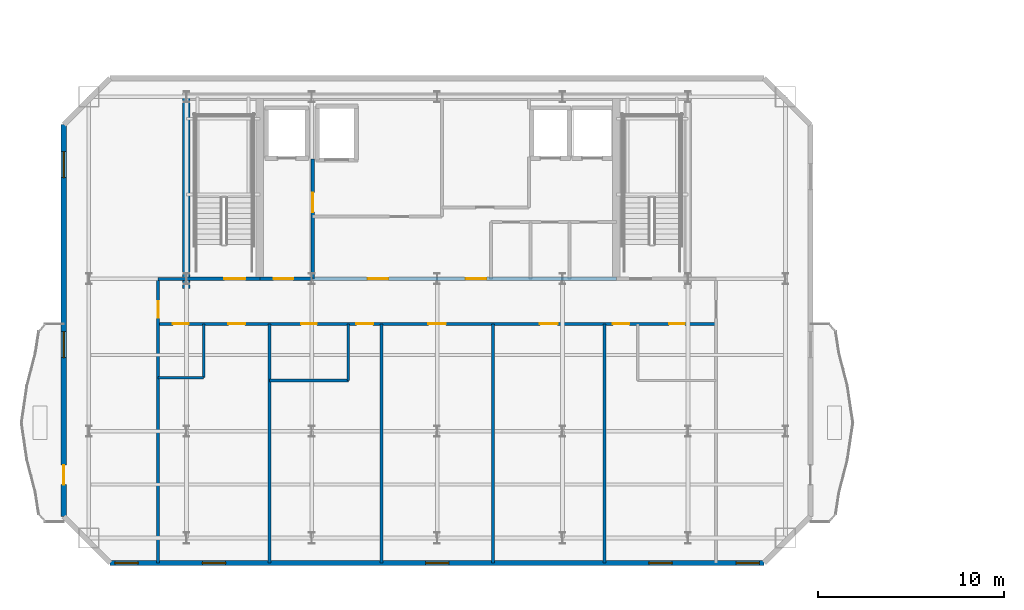
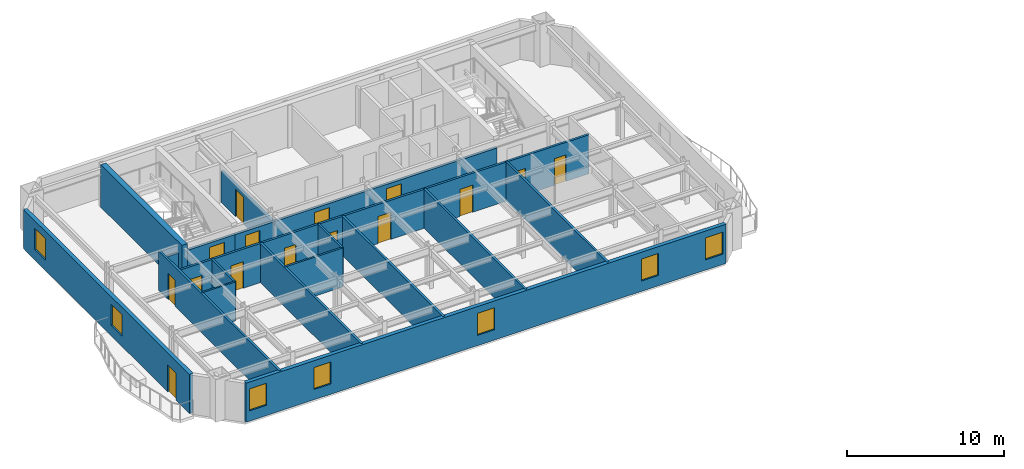
# One storey, part 5 of 13: 18 walls, 15 doors, 7 windows, 22 openings.
"""IFC4 building model written with IfcOpenShell, lengths in metres."""

from ifc_helpers import new_model, si_unit, direction, frame, frame_2d, origin, place, context, subcontext, project, spatial, rectangle, extrude, material, layer, layer_set, type_object, element, fill, save


model = new_model("IFC4")

# Units and contexts
model_context = context("Model", 3, precision=1e-05, world=origin(), true_north=direction((0.0, 1.0)))
body_context = subcontext(model_context, "Body", "Model", "MODEL_VIEW")
ifc_project = project(units=[si_unit("LENGTHUNIT", "METRE"), si_unit("AREAUNIT", "SQUARE_METRE"), si_unit("VOLUMEUNIT", "CUBIC_METRE"), si_unit("PLANEANGLEUNIT", "RADIAN"), si_unit("MASSUNIT", "GRAM", prefix="KILO")], contexts=[model_context])

# Site, building, storey
site_placement = place(None, origin())
site = spatial("IfcSite", under=ifc_project, at=site_placement, CompositionType="ELEMENT")
building_placement = place(site_placement, origin())
building = spatial("IfcBuilding", under=site, at=building_placement, Name="Haevon Station Towers", CompositionType="ELEMENT")
storey_placement = place(building_placement, frame((0.0, 0.0, 225.300048828125)))
storey = spatial("IfcBuildingStorey", under=building, at=storey_placement, Name="L62", CompositionType="ELEMENT", Elevation=225.300048828125)

# Wall, opening, door
ifc_material_1 = material(Name="Gypsum board on steel stud", Category="steel")
ifc_layer_1 = layer(ifc_material_1, 0.199951171875)
ifc_layer_set_1 = layer_set([ifc_layer_1], Name="Gypsum board on steel stud")
wall_type_1 = type_object("IfcWallType", Name="WL-COR200", PredefinedType="PARTITIONING", material=ifc_layer_set_1)
wall_1_placement = place(storey_placement, frame((24.0, 38.199951171875, 0.0), z_axis=(0.0, 0.0, 1.0), x_axis=(1.0, 0.0, 0.0)))
wall_1 = element("IfcWall", 1, at=wall_1_placement, inside=storey, type_object=wall_type_1, Name="WL-ST-ST1-L62", PredefinedType="PARTITIONING", context=body_context, shape_type="SweptSolid", body=[
    extrude(rectangle(XDim=3.949951171875, YDim=0.199951171875, at=frame_2d((1.97509765625, 0.0))), origin(), (0.0, 0.0, 1.0), 2.429931640625),
])
opening_1_placement = place(wall_1_placement, frame((2.050048828125, 0.0, 0.0)))
opening_1 = element("IfcOpeningElement", 2, at=opening_1_placement, cuts=wall_1, Name="Opening DR-ST-ST1-L62", PredefinedType="OPENING", context=body_context, shape_type="SweptSolid", body=[
    extrude(rectangle(XDim=1.1201171875, YDim=2.10009765625, at=frame_2d((0.56005859375, 1.050048828125))), frame((0.0, 0.10986328125, 0.0), z_axis=(0.0, -1.0, 0.0), x_axis=(1.0, 0.0, 0.0)), (0.0, 0.0, 1.0), 0.219970703125),
])
ifc_material_2 = material(Name="Engineered oak timber", Category="wood")
door_type_1 = type_object("IfcDoorType", Name="DR-ST-1120", OperationType="NOTDEFINED", PredefinedType="DOOR", material=ifc_material_2)
door_1_placement = place(opening_1_placement, origin())
door_1 = element("IfcDoor", 3, at=door_1_placement, inside=storey, type_object=door_type_1, Name="L62 Escape Stair ST1 Fire Door", OperationType="SINGLE_SWING_LEFT", OverallHeight=2.10009765625, OverallWidth=1.1201171875, PredefinedType="DOOR", context=body_context, shape_type="SweptSolid", body=[
    extrude(rectangle(XDim=1.1201171875, YDim=2.10009765625, at=frame_2d((0.56005859375, 1.050048828125))), frame((0.0, 0.02490234375, 0.0), z_axis=(0.0, -1.0, 0.0), x_axis=(1.0, 0.0, 0.0)), (0.0, 0.0, 1.0), 0.050048828125),
])
fill(opening_1, door_1)

wall_2_placement = place(storey_placement, frame((30.800048828125, 38.199951171875, 0.0), z_axis=(0.0, 0.0, 1.0), x_axis=(0.0, 1.0, 0.0)))
wall_2 = element("IfcWall", 4, at=wall_2_placement, inside=storey, type_object=wall_type_1, Name="WL-T1FFL-L62-E", PredefinedType="PARTITIONING", context=body_context, shape_type="SweptSolid", body=[
    extrude(rectangle(XDim=6.449951171875, YDim=0.199951171875, at=frame_2d((3.22509765625, 0.0))), origin(), (0.0, 0.0, 1.0), 2.429931640625),
])
opening_2_placement = place(wall_2_placement, frame((3.590087890625, 0.0, 0.0)))
opening_2 = element("IfcOpeningElement", 5, at=opening_2_placement, cuts=wall_2, Name="Opening DR-T1FFL-L62-E", PredefinedType="OPENING", context=body_context, shape_type="SweptSolid", body=[
    extrude(rectangle(XDim=1.050048828125, YDim=2.10009765625, at=frame_2d((0.52490234375, 1.050048828125))), frame((0.0, 0.10986328125, 0.0), z_axis=(0.0, -1.0, 0.0), x_axis=(1.0, 0.0, 0.0)), (0.0, 0.0, 1.0), 0.219970703125),
])
door_type_2 = type_object("IfcDoorType", Name="DR-FD60-1050", OperationType="NOTDEFINED", PredefinedType="DOOR", material=ifc_material_2)
door_2_placement = place(opening_2_placement, origin())
door_2 = element("IfcDoor", 6, at=door_2_placement, inside=storey, type_object=door_type_2, Name="L62 Tower 1 Firefighting Lift Lobby Door E", OperationType="SINGLE_SWING_LEFT", OverallHeight=2.10009765625, OverallWidth=1.050048828125, PredefinedType="DOOR", context=body_context, shape_type="SweptSolid", body=[
    extrude(rectangle(XDim=1.050048828125, YDim=2.10009765625, at=frame_2d((0.52490234375, 1.050048828125))), frame((0.0, 0.02490234375, 0.0), z_axis=(0.0, -1.0, 0.0), x_axis=(1.0, 0.0, 0.0)), (0.0, 0.0, 1.0), 0.050048828125),
])
fill(opening_2, door_2)

wall_3_placement = place(storey_placement, frame((27.949951171875, 38.199951171875, 0.0), z_axis=(0.0, 0.0, 1.0), x_axis=(1.0, 0.0, 0.0)))
wall_3 = element("IfcWall", 7, at=wall_3_placement, inside=storey, type_object=wall_type_1, Name="WL-T1FFL-L62-S", PredefinedType="PARTITIONING", context=body_context, shape_type="SweptSolid", body=[
    extrude(rectangle(XDim=2.85009765625, YDim=0.199951171875, at=frame_2d((1.425048828125, 0.0))), origin(), (0.0, 0.0, 1.0), 2.429931640625),
])
opening_3_placement = place(wall_3_placement, frame((0.75, 0.0, 0.0)))
opening_3 = element("IfcOpeningElement", 8, at=opening_3_placement, cuts=wall_3, Name="Opening DR-T1FFL-L62-S", PredefinedType="OPENING", context=body_context, shape_type="SweptSolid", body=[
    extrude(rectangle(XDim=1.050048828125, YDim=2.10009765625, at=frame_2d((0.52490234375, 1.050048828125))), frame((0.0, 0.10986328125, 0.0), z_axis=(0.0, -1.0, 0.0), x_axis=(1.0, 0.0, 0.0)), (0.0, 0.0, 1.0), 0.219970703125),
])
door_3_placement = place(opening_3_placement, origin())
door_3 = element("IfcDoor", 9, at=door_3_placement, inside=storey, type_object=door_type_2, Name="L62 Tower 1 Firefighting Lift Lobby Door S", OperationType="SINGLE_SWING_RIGHT", OverallHeight=2.10009765625, OverallWidth=1.050048828125, PredefinedType="DOOR", context=body_context, shape_type="SweptSolid", body=[
    extrude(rectangle(XDim=1.050048828125, YDim=2.10009765625, at=frame_2d((0.52490234375, 1.050048828125))), frame((0.0, 0.02490234375, 0.0), z_axis=(0.0, -1.0, 0.0), x_axis=(1.0, 0.0, 0.0)), (0.0, 0.0, 1.0), 0.050048828125),
])
fill(opening_3, door_3)

# Wall, openings, doors
wall_4_placement = place(storey_placement, frame((30.800048828125, 38.199951171875, 0.0), z_axis=(0.0, 0.0, 1.0), x_axis=(1.0, 0.0, 0.0)))
wall_4 = element("IfcWall", 10, at=wall_4_placement, inside=storey, type_object=wall_type_1, Name="WL-T1CLB-L62", PredefinedType="PARTITIONING", context=body_context, shape_type="SweptSolid", body=[
    extrude(rectangle(XDim=16.349853515625, YDim=0.199951171875, at=frame_2d((8.1748046875, 0.0))), origin(), (0.0, 0.0, 1.0), 2.429931640625),
])
opening_4_placement = place(wall_4_placement, frame((2.949951171875, 0.0, 0.0)))
opening_4 = element("IfcOpeningElement", 11, at=opening_4_placement, cuts=wall_4, Name="Opening DR-T1CLB-L62-1", PredefinedType="OPENING", context=body_context, shape_type="SweptSolid", body=[
    extrude(rectangle(XDim=1.1201171875, YDim=2.10009765625, at=frame_2d((0.56005859375, 1.050048828125))), frame((0.0, 0.10986328125, 0.0), z_axis=(0.0, -1.0, 0.0), x_axis=(1.0, 0.0, 0.0)), (0.0, 0.0, 1.0), 0.219970703125),
])
opening_5_placement = place(wall_4_placement, frame((8.22998046875, 0.0, 0.0)))
opening_5 = element("IfcOpeningElement", 12, at=opening_5_placement, cuts=wall_4, Name="Opening DR-T1CLB-L62-2", PredefinedType="OPENING", context=body_context, shape_type="SweptSolid", body=[
    extrude(rectangle(XDim=1.1201171875, YDim=2.10009765625, at=frame_2d((0.56005859375, 1.050048828125))), frame((0.0, 0.10986328125, 0.0), z_axis=(0.0, -1.0, 0.0), x_axis=(1.0, 0.0, 0.0)), (0.0, 0.0, 1.0), 0.219970703125),
])
door_4_placement = place(opening_4_placement, origin())
door_4 = element("IfcDoor", 13, at=door_4_placement, inside=storey, type_object=door_type_1, Name="L62 Tower 1 Core Lift Lobby Door 1", OperationType="SINGLE_SWING_LEFT", OverallHeight=2.10009765625, OverallWidth=1.1201171875, PredefinedType="DOOR", context=body_context, shape_type="SweptSolid", body=[
    extrude(rectangle(XDim=1.1201171875, YDim=2.10009765625, at=frame_2d((0.56005859375, 1.050048828125))), frame((0.0, 0.02490234375, 0.0), z_axis=(0.0, -1.0, 0.0), x_axis=(1.0, 0.0, 0.0)), (0.0, 0.0, 1.0), 0.050048828125),
])
fill(opening_4, door_4)
door_5_placement = place(opening_5_placement, origin())
door_5 = element("IfcDoor", 14, at=door_5_placement, inside=storey, type_object=door_type_1, Name="L62 Tower 1 Core Lift Lobby Door 2", OperationType="SINGLE_SWING_RIGHT", OverallHeight=2.10009765625, OverallWidth=1.1201171875, PredefinedType="DOOR", context=body_context, shape_type="SweptSolid", body=[
    extrude(rectangle(XDim=1.1201171875, YDim=2.10009765625, at=frame_2d((0.56005859375, 1.050048828125))), frame((0.0, 0.02490234375, 0.0), z_axis=(0.0, -1.0, 0.0), x_axis=(1.0, 0.0, 0.0)), (0.0, 0.0, 1.0), 0.050048828125),
])
fill(opening_5, door_5)

# Wall
ifc_material_3 = material(Name="Concrete C60/75", Category="concrete")
ifc_layer_2 = layer(ifc_material_3, 0.39990234375)
ifc_layer_set_2 = layer_set([ifc_layer_2], Name="Concrete C60/75")
wall_type_2 = type_object("IfcWallType", Name="WL-CR400", PredefinedType="SHEAR", material=ifc_layer_set_2)
wall_5_placement = place(storey_placement, frame((24.0, 37.679931640625, 0.0), z_axis=(0.0, 0.0, 1.0), x_axis=(0.0, 1.0, 0.0)))
element("IfcWall", 15, at=wall_5_placement, inside=storey, type_object=wall_type_2, Name="WL-T1CR-L62-W", PredefinedType="SHEAR", context=body_context, shape_type="SweptSolid", body=[
    extrude(rectangle(XDim=10.320068359375, YDim=0.39990234375, at=frame_2d((5.16015625, 0.0))), origin(), (0.0, 0.0, 1.0), 3.300048828125),
])

# Wall, openings, windows
ifc_material_4 = material(Name="Precast concrete C45/55", Category="concrete")
ifc_layer_3 = layer(ifc_material_4, 0.280029296875)
ifc_layer_set_3 = layer_set([ifc_layer_3], Name="Precast concrete C45/55")
wall_type_3 = type_object("IfcWallType", Name="WL-EXT-PIER280", PredefinedType="SOLIDWALL", material=ifc_layer_set_3)
wall_6_placement = place(storey_placement, frame((55.10009765625, 22.89990234375, 0.0), z_axis=(0.0, 0.0, 1.0), x_axis=(-1.0, 0.0, 0.0)))
wall_6 = element("IfcWall", 16, at=wall_6_placement, inside=storey, type_object=wall_type_3, Name="WL-T1-L62-S", PredefinedType="SOLIDWALL", context=body_context, shape_type="SweptSolid", body=[
    extrude(rectangle(XDim=35.2001953125, YDim=0.280029296875, at=frame_2d((17.60009765625, 0.0))), origin(), (0.0, 0.0, 1.0), 3.030029296875),
])
opening_6_placement = place(wall_6_placement, frame((33.699951171875, 0.0, 0.800048828125)))
opening_6 = element("IfcOpeningElement", 17, at=opening_6_placement, cuts=wall_6, Name="Opening WN-P125", PredefinedType="OPENING", context=body_context, shape_type="SweptSolid", body=[
    extrude(rectangle(XDim=1.25, YDim=1.699951171875, at=frame_2d((0.625, 0.85009765625))), frame((0.0, 0.14990234375, 0.0), z_axis=(0.0, -1.0, 0.0), x_axis=(1.0, 0.0, 0.0)), (0.0, 0.0, 1.0), 0.300048828125),
])
opening_7_placement = place(wall_6_placement, frame((0.25, 0.0, 0.800048828125)))
opening_7 = element("IfcOpeningElement", 18, at=opening_7_placement, cuts=wall_6, Name="Opening WN-P125", PredefinedType="OPENING", context=body_context, shape_type="SweptSolid", body=[
    extrude(rectangle(XDim=1.25, YDim=1.699951171875, at=frame_2d((0.625, 0.85009765625))), frame((0.0, 0.14990234375, 0.0), z_axis=(0.0, -1.0, 0.0), x_axis=(1.0, 0.0, 0.0)), (0.0, 0.0, 1.0), 0.300048828125),
])
opening_8_placement = place(wall_6_placement, frame((28.9951171875, 0.0, 0.800048828125)))
opening_8 = element("IfcOpeningElement", 19, at=opening_8_placement, cuts=wall_6, Name="Opening WN-P125", PredefinedType="OPENING", context=body_context, shape_type="SweptSolid", body=[
    extrude(rectangle(XDim=1.25, YDim=1.699951171875, at=frame_2d((0.625, 0.85009765625))), frame((0.0, 0.14990234375, 0.0), z_axis=(0.0, -1.0, 0.0), x_axis=(1.0, 0.0, 0.0)), (0.0, 0.0, 1.0), 0.300048828125),
])
opening_9_placement = place(wall_6_placement, frame((16.97509765625, 0.0, 0.800048828125)))
opening_9 = element("IfcOpeningElement", 20, at=opening_9_placement, cuts=wall_6, Name="Opening WN-P125", PredefinedType="OPENING", context=body_context, shape_type="SweptSolid", body=[
    extrude(rectangle(XDim=1.25, YDim=1.699951171875, at=frame_2d((0.625, 0.85009765625))), frame((0.0, 0.14990234375, 0.0), z_axis=(0.0, -1.0, 0.0), x_axis=(1.0, 0.0, 0.0)), (0.0, 0.0, 1.0), 0.300048828125),
])
opening_10_placement = place(wall_6_placement, frame((4.955078125, 0.0, 0.800048828125)))
opening_10 = element("IfcOpeningElement", 21, at=opening_10_placement, cuts=wall_6, Name="Opening WN-P125", PredefinedType="OPENING", context=body_context, shape_type="SweptSolid", body=[
    extrude(rectangle(XDim=1.25, YDim=1.699951171875, at=frame_2d((0.625, 0.85009765625))), frame((0.0, 0.14990234375, 0.0), z_axis=(0.0, -1.0, 0.0), x_axis=(1.0, 0.0, 0.0)), (0.0, 0.0, 1.0), 0.300048828125),
])
ifc_material_5 = material(Name="Low-E triple glazing in thermally broken aluminium", Category="aluminium")
window_type_1 = type_object("IfcWindowType", Name="WN-P125", PartitioningType="SINGLE_PANEL", PredefinedType="WINDOW", material=ifc_material_5)
window_1_placement = place(opening_6_placement, origin())
window_1 = element("IfcWindow", 22, at=window_1_placement, inside=storey, type_object=window_type_1, Name="WN-T1-L62-S01", OverallHeight=1.699951171875, OverallWidth=1.25, PartitioningType="SINGLE_PANEL", PredefinedType="WINDOW", context=body_context, shape_type="SweptSolid", body=[
    extrude(rectangle(XDim=1.25, YDim=1.699951171875, at=frame_2d((0.625, 0.85009765625))), frame((0.0, 0.030029296875, 0.0), z_axis=(0.0, -1.0, 0.0), x_axis=(1.0, 0.0, 0.0)), (0.0, 0.0, 1.0), 0.06005859375),
])
fill(opening_6, window_1)
window_2_placement = place(opening_7_placement, origin())
window_2 = element("IfcWindow", 23, at=window_2_placement, inside=storey, type_object=window_type_1, Name="WN-T1-L62-S02", OverallHeight=1.699951171875, OverallWidth=1.25, PartitioningType="SINGLE_PANEL", PredefinedType="WINDOW", context=body_context, shape_type="SweptSolid", body=[
    extrude(rectangle(XDim=1.25, YDim=1.699951171875, at=frame_2d((0.625, 0.85009765625))), frame((0.0, 0.030029296875, 0.0), z_axis=(0.0, -1.0, 0.0), x_axis=(1.0, 0.0, 0.0)), (0.0, 0.0, 1.0), 0.06005859375),
])
fill(opening_7, window_2)
window_3_placement = place(opening_8_placement, origin())
window_3 = element("IfcWindow", 24, at=window_3_placement, inside=storey, type_object=window_type_1, Name="WN-T1-L62-S03", OverallHeight=1.699951171875, OverallWidth=1.25, PartitioningType="SINGLE_PANEL", PredefinedType="WINDOW", context=body_context, shape_type="SweptSolid", body=[
    extrude(rectangle(XDim=1.25, YDim=1.699951171875, at=frame_2d((0.625, 0.85009765625))), frame((0.0, 0.030029296875, 0.0), z_axis=(0.0, -1.0, 0.0), x_axis=(1.0, 0.0, 0.0)), (0.0, 0.0, 1.0), 0.06005859375),
])
fill(opening_8, window_3)
window_4_placement = place(opening_9_placement, origin())
window_4 = element("IfcWindow", 25, at=window_4_placement, inside=storey, type_object=window_type_1, Name="WN-T1-L62-S04", OverallHeight=1.699951171875, OverallWidth=1.25, PartitioningType="SINGLE_PANEL", PredefinedType="WINDOW", context=body_context, shape_type="SweptSolid", body=[
    extrude(rectangle(XDim=1.25, YDim=1.699951171875, at=frame_2d((0.625, 0.85009765625))), frame((0.0, 0.030029296875, 0.0), z_axis=(0.0, -1.0, 0.0), x_axis=(1.0, 0.0, 0.0)), (0.0, 0.0, 1.0), 0.06005859375),
])
fill(opening_9, window_4)
window_5_placement = place(opening_10_placement, origin())
window_5 = element("IfcWindow", 26, at=window_5_placement, inside=storey, type_object=window_type_1, Name="WN-T1-L62-S05", OverallHeight=1.699951171875, OverallWidth=1.25, PartitioningType="SINGLE_PANEL", PredefinedType="WINDOW", context=body_context, shape_type="SweptSolid", body=[
    extrude(rectangle(XDim=1.25, YDim=1.699951171875, at=frame_2d((0.625, 0.85009765625))), frame((0.0, 0.030029296875, 0.0), z_axis=(0.0, -1.0, 0.0), x_axis=(1.0, 0.0, 0.0)), (0.0, 0.0, 1.0), 0.06005859375),
])
fill(opening_10, window_5)

# Wall, openings, door, windows
wall_7_placement = place(storey_placement, frame((17.39990234375, 25.39990234375, 0.0), z_axis=(0.0, 0.0, 1.0), x_axis=(0.0, 1.0, 0.0)))
wall_7 = element("IfcWall", 27, at=wall_7_placement, inside=storey, type_object=wall_type_3, Name="WL-T1-L62-W", PredefinedType="SOLIDWALL", context=body_context, shape_type="SweptSolid", body=[
    extrude(rectangle(XDim=21.10009765625, YDim=0.280029296875, at=frame_2d((10.550048828125, 0.0))), origin(), (0.0, 0.0, 1.0), 3.030029296875),
])
opening_11_placement = place(wall_7_placement, frame((1.72509765625, 0.0, 0.0)))
opening_11 = element("IfcOpeningElement", 28, at=opening_11_placement, cuts=wall_7, Name="Opening DR-T1-SCAL-L62-W", PredefinedType="OPENING", context=body_context, shape_type="SweptSolid", body=[
    extrude(rectangle(XDim=1.050048828125, YDim=2.10009765625, at=frame_2d((0.52490234375, 1.050048828125))), frame((0.0, 0.14990234375, 0.0), z_axis=(0.0, -1.0, 0.0), x_axis=(1.0, 0.0, 0.0)), (0.0, 0.0, 1.0), 0.300048828125),
])
opening_12_placement = place(wall_7_placement, frame((8.55712890625, 0.0, 0.800048828125)))
opening_12 = element("IfcOpeningElement", 29, at=opening_12_placement, cuts=wall_7, Name="Opening WN-END140", PredefinedType="OPENING", context=body_context, shape_type="SweptSolid", body=[
    extrude(rectangle(XDim=1.39990234375, YDim=1.64990234375, at=frame_2d((0.699951171875, 0.824951171875))), frame((0.0, 0.14990234375, 0.0), z_axis=(0.0, -1.0, 0.0), x_axis=(1.0, 0.0, 0.0)), (0.0, 0.0, 1.0), 0.300048828125),
])
opening_13_placement = place(wall_7_placement, frame((18.253662109375, 0.0, 0.800048828125)))
opening_13 = element("IfcOpeningElement", 30, at=opening_13_placement, cuts=wall_7, Name="Opening WN-END140", PredefinedType="OPENING", context=body_context, shape_type="SweptSolid", body=[
    extrude(rectangle(XDim=1.39990234375, YDim=1.64990234375, at=frame_2d((0.699951171875, 0.824951171875))), frame((0.0, 0.14990234375, 0.0), z_axis=(0.0, -1.0, 0.0), x_axis=(1.0, 0.0, 0.0)), (0.0, 0.0, 1.0), 0.300048828125),
])
ifc_material_6 = material(Name="Thermally broken anodised aluminium and laminated safety glass", Category="aluminium")
door_type_3 = type_object("IfcDoorType", Name="DR-BALC-1050", OperationType="NOTDEFINED", PredefinedType="DOOR", material=ifc_material_6)
door_6_placement = place(opening_11_placement, origin())
door_6 = element("IfcDoor", 31, at=door_6_placement, inside=storey, type_object=door_type_3, Name="Tower 1 L62 West Scalloped Balcony Door", OperationType="SINGLE_SWING_LEFT", OverallHeight=2.10009765625, OverallWidth=1.050048828125, PredefinedType="DOOR", context=body_context, shape_type="SweptSolid", body=[
    extrude(rectangle(XDim=1.050048828125, YDim=2.10009765625, at=frame_2d((0.52490234375, 1.050048828125))), frame((0.0, 0.02490234375, 0.0), z_axis=(0.0, -1.0, 0.0), x_axis=(1.0, 0.0, 0.0)), (0.0, 0.0, 1.0), 0.050048828125),
])
fill(opening_11, door_6)
window_type_2 = type_object("IfcWindowType", Name="WN-END140", PartitioningType="SINGLE_PANEL", PredefinedType="WINDOW", material=ifc_material_5)
window_6_placement = place(opening_12_placement, origin())
window_6 = element("IfcWindow", 32, at=window_6_placement, inside=storey, type_object=window_type_2, Name="WN-T1-L62-W01", OverallHeight=1.64990234375, OverallWidth=1.39990234375, PartitioningType="SINGLE_PANEL", PredefinedType="WINDOW", context=body_context, shape_type="SweptSolid", body=[
    extrude(rectangle(XDim=1.39990234375, YDim=1.64990234375, at=frame_2d((0.699951171875, 0.824951171875))), frame((0.0, 0.030029296875, 0.0), z_axis=(0.0, -1.0, 0.0), x_axis=(1.0, 0.0, 0.0)), (0.0, 0.0, 1.0), 0.06005859375),
])
fill(opening_12, window_6)
window_7_placement = place(opening_13_placement, origin())
window_7 = element("IfcWindow", 33, at=window_7_placement, inside=storey, type_object=window_type_2, Name="WN-T1-L62-W02", OverallHeight=1.64990234375, OverallWidth=1.39990234375, PartitioningType="SINGLE_PANEL", PredefinedType="WINDOW", context=body_context, shape_type="SweptSolid", body=[
    extrude(rectangle(XDim=1.39990234375, YDim=1.64990234375, at=frame_2d((0.699951171875, 0.824951171875))), frame((0.0, 0.030029296875, 0.0), z_axis=(0.0, -1.0, 0.0), x_axis=(1.0, 0.0, 0.0)), (0.0, 0.0, 1.0), 0.06005859375),
])
fill(opening_13, window_7)

# Walls
ifc_layer_4 = layer(ifc_material_1, 0.125)
ifc_layer_set_4 = layer_set([ifc_layer_4], Name="Gypsum board on steel stud")
wall_type_4 = type_object("IfcWallType", Name="WL-PRT125", PredefinedType="PARTITIONING", material=ifc_layer_set_4)
wall_8_placement = place(storey_placement, frame((22.47509765625, 32.8798828125, 0.0), z_axis=(0.0, 0.0, 1.0), x_axis=(1.0, 0.0, 0.0)))
element("IfcWall", 34, at=wall_8_placement, inside=storey, type_object=wall_type_4, Name="WL-T1PT-L62-05", PredefinedType="PARTITIONING", context=body_context, shape_type="SweptSolid", body=[
    extrude(rectangle(XDim=2.449951171875, YDim=0.125, at=frame_2d((1.22509765625, 0.0))), origin(), (0.0, 0.0, 1.0), 3.030029296875),
])
wall_9_placement = place(storey_placement, frame((32.715087890625, 32.72998046875, 0.0), z_axis=(0.0, 0.0, 1.0), x_axis=(0.0, 1.0, 0.0)))
element("IfcWall", 35, at=wall_9_placement, inside=storey, type_object=wall_type_4, Name="WL-T1PT-L62-09", PredefinedType="PARTITIONING", context=body_context, shape_type="SweptSolid", body=[
    extrude(rectangle(XDim=3.050048828125, YDim=0.125, at=frame_2d((1.52490234375, 0.0))), origin(), (0.0, 0.0, 1.0), 3.030029296875),
])
ifc_layer_5 = layer(ifc_material_1, 0.139892578125)
ifc_layer_set_5 = layer_set([ifc_layer_5], Name="Gypsum board on steel stud")
wall_type_5 = type_object("IfcWallType", Name="WL-PRT140", PredefinedType="PARTITIONING", material=ifc_layer_set_5)
wall_10_placement = place(storey_placement, frame((24.925048828125, 32.8798828125, 0.0), z_axis=(0.0, 0.0, 1.0), x_axis=(0.0, 1.0, 0.0)))
element("IfcWall", 36, at=wall_10_placement, inside=storey, type_object=wall_type_5, Name="WL-T1PT-L62-06", PredefinedType="PARTITIONING", context=body_context, shape_type="SweptSolid", body=[
    extrude(rectangle(XDim=2.900146484375, YDim=0.139892578125, at=frame_2d((1.4501953125, 0.0))), origin(), (0.0, 0.0, 1.0), 3.030029296875),
])
wall_11_placement = place(storey_placement, frame((28.485107421875, 32.72998046875, 0.0), z_axis=(0.0, 0.0, 1.0), x_axis=(1.0, 0.0, 0.0)))
element("IfcWall", 37, at=wall_11_placement, inside=storey, type_object=wall_type_5, Name="WL-T1PT-L62-08", PredefinedType="PARTITIONING", context=body_context, shape_type="SweptSolid", body=[
    extrude(rectangle(XDim=4.22998046875, YDim=0.139892578125, at=frame_2d((2.114990234375, 0.0))), origin(), (0.0, 0.0, 1.0), 3.030029296875),
])
ifc_layer_6 = layer(ifc_material_1, 0.159912109375)
ifc_layer_set_6 = layer_set([ifc_layer_6], Name="Gypsum board on steel stud")
wall_type_6 = type_object("IfcWallType", Name="WL-PRT160", PredefinedType="PARTITIONING", material=ifc_layer_set_6)
wall_12_placement = place(storey_placement, frame((22.47509765625, 38.199951171875, 0.0), z_axis=(0.0, 0.0, 1.0), x_axis=(1.0, 0.0, 0.0)))
element("IfcWall", 38, at=wall_12_placement, inside=storey, type_object=wall_type_6, Name="WL-T1PT-L62-01", PredefinedType="PARTITIONING", context=body_context, shape_type="SweptSolid", body=[
    extrude(rectangle(XDim=1.52490234375, YDim=0.159912109375, at=frame_2d((0.762451171875, 0.0))), origin(), (0.0, 0.0, 1.0), 2.429931640625),
])

# Wall, opening, door
wall_13_placement = place(storey_placement, frame((22.47509765625, 22.89990234375, 0.0), z_axis=(0.0, 0.0, 1.0), x_axis=(0.0, 1.0, 0.0)))
wall_13 = element("IfcWall", 39, at=wall_13_placement, inside=storey, type_object=wall_type_6, Name="WL-T1PT-L62-03", PredefinedType="PARTITIONING", context=body_context, shape_type="SweptSolid", body=[
    extrude(rectangle(XDim=15.300048828125, YDim=0.159912109375, at=frame_2d((7.64990234375, 0.0))), origin(), (0.0, 0.0, 1.0), 3.030029296875),
])
opening_14_placement = place(wall_13_placement, frame((13.199951171875, 0.0, 0.0)))
opening_14 = element("IfcOpeningElement", 40, at=opening_14_placement, cuts=wall_13, Name="Opening DR-WL-T1PT-L62-03-01", PredefinedType="OPENING", context=body_context, shape_type="SweptSolid", body=[
    extrude(rectangle(XDim=0.89990234375, YDim=2.050048828125, at=frame_2d((0.449951171875, 1.02490234375))), frame((0.0, 0.08984375, 0.0), z_axis=(0.0, -1.0, 0.0), x_axis=(1.0, 0.0, 0.0)), (0.0, 0.0, 1.0), 0.179931640625),
])
door_type_4 = type_object("IfcDoorType", Name="DR-INT-900", OperationType="NOTDEFINED", PredefinedType="DOOR", material=ifc_material_2)
door_7_placement = place(opening_14_placement, origin())
door_7 = element("IfcDoor", 41, at=door_7_placement, inside=storey, type_object=door_type_4, Name="L62 Tower 1 Room Door 3-1", OperationType="SINGLE_SWING_RIGHT", OverallHeight=2.050048828125, OverallWidth=0.89990234375, PredefinedType="DOOR", context=body_context, shape_type="SweptSolid", body=[
    extrude(rectangle(XDim=0.89990234375, YDim=2.050048828125, at=frame_2d((0.449951171875, 1.02490234375))), frame((0.0, 0.02490234375, 0.0), z_axis=(0.0, -1.0, 0.0), x_axis=(1.0, 0.0, 0.0)), (0.0, 0.0, 1.0), 0.050048828125),
])
fill(opening_14, door_7)

# Walls
for number, where, z_axis, x_axis, name in (
    (42, (28.485107421875, 22.89990234375, 0.0), (0.0, 0.0, 1.0), (0.0, 1.0, 0.0), "WL-T1PT-L62-07"),
    (43, (34.4951171875, 22.89990234375, 0.0), (0.0, 0.0, 1.0), (0.0, 1.0, 0.0), "WL-T1PT-L62-10"),
    (44, (40.5048828125, 22.89990234375, 0.0), (0.0, 0.0, 1.0), (0.0, 1.0, 0.0), "WL-T1PT-L62-11"),
    (45, (46.514892578125, 22.89990234375, 0.0), (0.0, 0.0, 1.0), (0.0, 1.0, 0.0), "WL-T1PT-L62-12"),
):
    element("IfcWall", number, at=place(storey_placement, frame(where, z_axis=z_axis, x_axis=x_axis)), inside=storey, type_object=wall_type_6, Name=name, PredefinedType="PARTITIONING", context=body_context, shape_type="SweptSolid", body=[
        extrude(rectangle(XDim=12.880126953125, YDim=0.159912109375, at=frame_2d((6.43994140625, 0.0))), origin(), (0.0, 0.0, 1.0), 3.030029296875),
    ])

# Wall, openings, doors
wall_14_placement = place(storey_placement, frame((22.47509765625, 35.780029296875, 0.0), z_axis=(0.0, 0.0, 1.0), x_axis=(1.0, 0.0, 0.0)))
wall_14 = element("IfcWall", 46, at=wall_14_placement, inside=storey, type_object=wall_type_6, Name="WL-T1PT-L62-15", PredefinedType="PARTITIONING", context=body_context, shape_type="SweptSolid", body=[
    extrude(rectangle(XDim=30.0498046875, YDim=0.159912109375, at=frame_2d((15.02490234375, 0.0))), origin(), (0.0, 0.0, 1.0), 3.030029296875),
])
opening_15_placement = place(wall_14_placement, frame((0.800048828125, 0.0, 0.0)))
opening_15 = element("IfcOpeningElement", 47, at=opening_15_placement, cuts=wall_14, Name="Opening DR-WL-T1PT-L62-15-01", PredefinedType="OPENING", context=body_context, shape_type="SweptSolid", body=[
    extrude(rectangle(XDim=0.85009765625, YDim=2.050048828125, at=frame_2d((0.425048828125, 1.02490234375))), frame((0.0, 0.08984375, 0.0), z_axis=(0.0, -1.0, 0.0), x_axis=(1.0, 0.0, 0.0)), (0.0, 0.0, 1.0), 0.179931640625),
])
opening_16_placement = place(wall_14_placement, frame((3.780029296875, 0.0, 0.0)))
opening_16 = element("IfcOpeningElement", 48, at=opening_16_placement, cuts=wall_14, Name="Opening DR-WL-T1PT-L62-15-02", PredefinedType="OPENING", context=body_context, shape_type="SweptSolid", body=[
    extrude(rectangle(XDim=0.89990234375, YDim=2.050048828125, at=frame_2d((0.449951171875, 1.02490234375))), frame((0.0, 0.08984375, 0.0), z_axis=(0.0, -1.0, 0.0), x_axis=(1.0, 0.0, 0.0)), (0.0, 0.0, 1.0), 0.179931640625),
])
opening_17_placement = place(wall_14_placement, frame((7.699951171875, 0.0, 0.0)))
opening_17 = element("IfcOpeningElement", 49, at=opening_17_placement, cuts=wall_14, Name="Opening DR-WL-T1PT-L62-15-03", PredefinedType="OPENING", context=body_context, shape_type="SweptSolid", body=[
    extrude(rectangle(XDim=0.85009765625, YDim=2.050048828125, at=frame_2d((0.425048828125, 1.02490234375))), frame((0.0, 0.08984375, 0.0), z_axis=(0.0, -1.0, 0.0), x_axis=(1.0, 0.0, 0.0)), (0.0, 0.0, 1.0), 0.179931640625),
])
opening_18_placement = place(wall_14_placement, frame((10.679931640625, 0.0, 0.0)))
opening_18 = element("IfcOpeningElement", 50, at=opening_18_placement, cuts=wall_14, Name="Opening DR-WL-T1PT-L62-15-04", PredefinedType="OPENING", context=body_context, shape_type="SweptSolid", body=[
    extrude(rectangle(XDim=0.89990234375, YDim=2.050048828125, at=frame_2d((0.449951171875, 1.02490234375))), frame((0.0, 0.08984375, 0.0), z_axis=(0.0, -1.0, 0.0), x_axis=(1.0, 0.0, 0.0)), (0.0, 0.0, 1.0), 0.179931640625),
])
opening_19_placement = place(wall_14_placement, frame((14.550048828125, 0.0, 0.0)))
opening_19 = element("IfcOpeningElement", 51, at=opening_19_placement, cuts=wall_14, Name="Opening DR-WL-T1PT-L62-15-05", PredefinedType="OPENING", context=body_context, shape_type="SweptSolid", body=[
    extrude(rectangle(XDim=0.949951171875, YDim=2.10009765625, at=frame_2d((0.47509765625, 1.050048828125))), frame((0.0, 0.08984375, 0.0), z_axis=(0.0, -1.0, 0.0), x_axis=(1.0, 0.0, 0.0)), (0.0, 0.0, 1.0), 0.179931640625),
])
opening_20_placement = place(wall_14_placement, frame((20.56005859375, 0.0, 0.0)))
opening_20 = element("IfcOpeningElement", 52, at=opening_20_placement, cuts=wall_14, Name="Opening DR-WL-T1PT-L62-15-06", PredefinedType="OPENING", context=body_context, shape_type="SweptSolid", body=[
    extrude(rectangle(XDim=0.949951171875, YDim=2.10009765625, at=frame_2d((0.47509765625, 1.050048828125))), frame((0.0, 0.08984375, 0.0), z_axis=(0.0, -1.0, 0.0), x_axis=(1.0, 0.0, 0.0)), (0.0, 0.0, 1.0), 0.179931640625),
])
opening_21_placement = place(wall_14_placement, frame((27.510009765625, 0.0, 0.0)))
opening_21 = element("IfcOpeningElement", 53, at=opening_21_placement, cuts=wall_14, Name="Opening DR-WL-T1PT-L62-15-07", PredefinedType="OPENING", context=body_context, shape_type="SweptSolid", body=[
    extrude(rectangle(XDim=0.85009765625, YDim=2.050048828125, at=frame_2d((0.425048828125, 1.02490234375))), frame((0.0, 0.08984375, 0.0), z_axis=(0.0, -1.0, 0.0), x_axis=(1.0, 0.0, 0.0)), (0.0, 0.0, 1.0), 0.179931640625),
])
opening_22_placement = place(wall_14_placement, frame((24.47998046875, 0.0, 0.0)))
opening_22 = element("IfcOpeningElement", 54, at=opening_22_placement, cuts=wall_14, Name="Opening DR-WL-T1PT-L62-15-08", PredefinedType="OPENING", context=body_context, shape_type="SweptSolid", body=[
    extrude(rectangle(XDim=0.89990234375, YDim=2.050048828125, at=frame_2d((0.449951171875, 1.02490234375))), frame((0.0, 0.08984375, 0.0), z_axis=(0.0, -1.0, 0.0), x_axis=(1.0, 0.0, 0.0)), (0.0, 0.0, 1.0), 0.179931640625),
])
door_type_5 = type_object("IfcDoorType", Name="DR-FD30-850", OperationType="NOTDEFINED", PredefinedType="DOOR", material=ifc_material_2)
door_8_placement = place(opening_15_placement, origin())
door_8 = element("IfcDoor", 55, at=door_8_placement, inside=storey, type_object=door_type_5, Name="L62 Tower 1 Room Door 15-1", OperationType="SINGLE_SWING_RIGHT", OverallHeight=2.050048828125, OverallWidth=0.85009765625, PredefinedType="DOOR", context=body_context, shape_type="SweptSolid", body=[
    extrude(rectangle(XDim=0.85009765625, YDim=2.050048828125, at=frame_2d((0.425048828125, 1.02490234375))), frame((0.0, 0.02490234375, 0.0), z_axis=(0.0, -1.0, 0.0), x_axis=(1.0, 0.0, 0.0)), (0.0, 0.0, 1.0), 0.050048828125),
])
fill(opening_15, door_8)
door_9_placement = place(opening_17_placement, origin())
door_9 = element("IfcDoor", 56, at=door_9_placement, inside=storey, type_object=door_type_5, Name="L62 Tower 1 Room Door 15-3", OperationType="SINGLE_SWING_RIGHT", OverallHeight=2.050048828125, OverallWidth=0.85009765625, PredefinedType="DOOR", context=body_context, shape_type="SweptSolid", body=[
    extrude(rectangle(XDim=0.85009765625, YDim=2.050048828125, at=frame_2d((0.425048828125, 1.02490234375))), frame((0.0, 0.02490234375, 0.0), z_axis=(0.0, -1.0, 0.0), x_axis=(1.0, 0.0, 0.0)), (0.0, 0.0, 1.0), 0.050048828125),
])
fill(opening_17, door_9)
door_10_placement = place(opening_21_placement, origin())
door_10 = element("IfcDoor", 57, at=door_10_placement, inside=storey, type_object=door_type_5, Name="L62 Tower 1 Room Door 15-7", OperationType="SINGLE_SWING_RIGHT", OverallHeight=2.050048828125, OverallWidth=0.85009765625, PredefinedType="DOOR", context=body_context, shape_type="SweptSolid", body=[
    extrude(rectangle(XDim=0.85009765625, YDim=2.050048828125, at=frame_2d((0.425048828125, 1.02490234375))), frame((0.0, 0.02490234375, 0.0), z_axis=(0.0, -1.0, 0.0), x_axis=(1.0, 0.0, 0.0)), (0.0, 0.0, 1.0), 0.050048828125),
])
fill(opening_21, door_10)
door_type_6 = type_object("IfcDoorType", Name="DR-FD30-950", OperationType="NOTDEFINED", PredefinedType="DOOR", material=ifc_material_2)
door_11_placement = place(opening_19_placement, origin())
door_11 = element("IfcDoor", 58, at=door_11_placement, inside=storey, type_object=door_type_6, Name="L62 Tower 1 Room Door 15-5", OperationType="SINGLE_SWING_RIGHT", OverallHeight=2.10009765625, OverallWidth=0.949951171875, PredefinedType="DOOR", context=body_context, shape_type="SweptSolid", body=[
    extrude(rectangle(XDim=0.949951171875, YDim=2.10009765625, at=frame_2d((0.47509765625, 1.050048828125))), frame((0.0, 0.02490234375, 0.0), z_axis=(0.0, -1.0, 0.0), x_axis=(1.0, 0.0, 0.0)), (0.0, 0.0, 1.0), 0.050048828125),
])
fill(opening_19, door_11)
door_12_placement = place(opening_20_placement, origin())
door_12 = element("IfcDoor", 59, at=door_12_placement, inside=storey, type_object=door_type_6, Name="L62 Tower 1 Room Door 15-6", OperationType="SINGLE_SWING_LEFT", OverallHeight=2.10009765625, OverallWidth=0.949951171875, PredefinedType="DOOR", context=body_context, shape_type="SweptSolid", body=[
    extrude(rectangle(XDim=0.949951171875, YDim=2.10009765625, at=frame_2d((0.47509765625, 1.050048828125))), frame((0.0, 0.02490234375, 0.0), z_axis=(0.0, -1.0, 0.0), x_axis=(1.0, 0.0, 0.0)), (0.0, 0.0, 1.0), 0.050048828125),
])
fill(opening_20, door_12)
door_13_placement = place(opening_16_placement, origin())
door_13 = element("IfcDoor", 60, at=door_13_placement, inside=storey, type_object=door_type_4, Name="L62 Tower 1 Room Door 15-2", OperationType="SINGLE_SWING_LEFT", OverallHeight=2.050048828125, OverallWidth=0.89990234375, PredefinedType="DOOR", context=body_context, shape_type="SweptSolid", body=[
    extrude(rectangle(XDim=0.89990234375, YDim=2.050048828125, at=frame_2d((0.449951171875, 1.02490234375))), frame((0.0, 0.02490234375, 0.0), z_axis=(0.0, -1.0, 0.0), x_axis=(1.0, 0.0, 0.0)), (0.0, 0.0, 1.0), 0.050048828125),
])
fill(opening_16, door_13)
door_14_placement = place(opening_18_placement, origin())
door_14 = element("IfcDoor", 61, at=door_14_placement, inside=storey, type_object=door_type_4, Name="L62 Tower 1 Room Door 15-4", OperationType="SINGLE_SWING_LEFT", OverallHeight=2.050048828125, OverallWidth=0.89990234375, PredefinedType="DOOR", context=body_context, shape_type="SweptSolid", body=[
    extrude(rectangle(XDim=0.89990234375, YDim=2.050048828125, at=frame_2d((0.449951171875, 1.02490234375))), frame((0.0, 0.02490234375, 0.0), z_axis=(0.0, -1.0, 0.0), x_axis=(1.0, 0.0, 0.0)), (0.0, 0.0, 1.0), 0.050048828125),
])
fill(opening_18, door_14)
door_15_placement = place(opening_22_placement, origin())
door_15 = element("IfcDoor", 62, at=door_15_placement, inside=storey, type_object=door_type_4, Name="L62 Tower 1 Room Door 15-8", OperationType="SINGLE_SWING_LEFT", OverallHeight=2.050048828125, OverallWidth=0.89990234375, PredefinedType="DOOR", context=body_context, shape_type="SweptSolid", body=[
    extrude(rectangle(XDim=0.89990234375, YDim=2.050048828125, at=frame_2d((0.449951171875, 1.02490234375))), frame((0.0, 0.02490234375, 0.0), z_axis=(0.0, -1.0, 0.0), x_axis=(1.0, 0.0, 0.0)), (0.0, 0.0, 1.0), 0.050048828125),
])
fill(opening_22, door_15)

save(model, "model.ifc")
